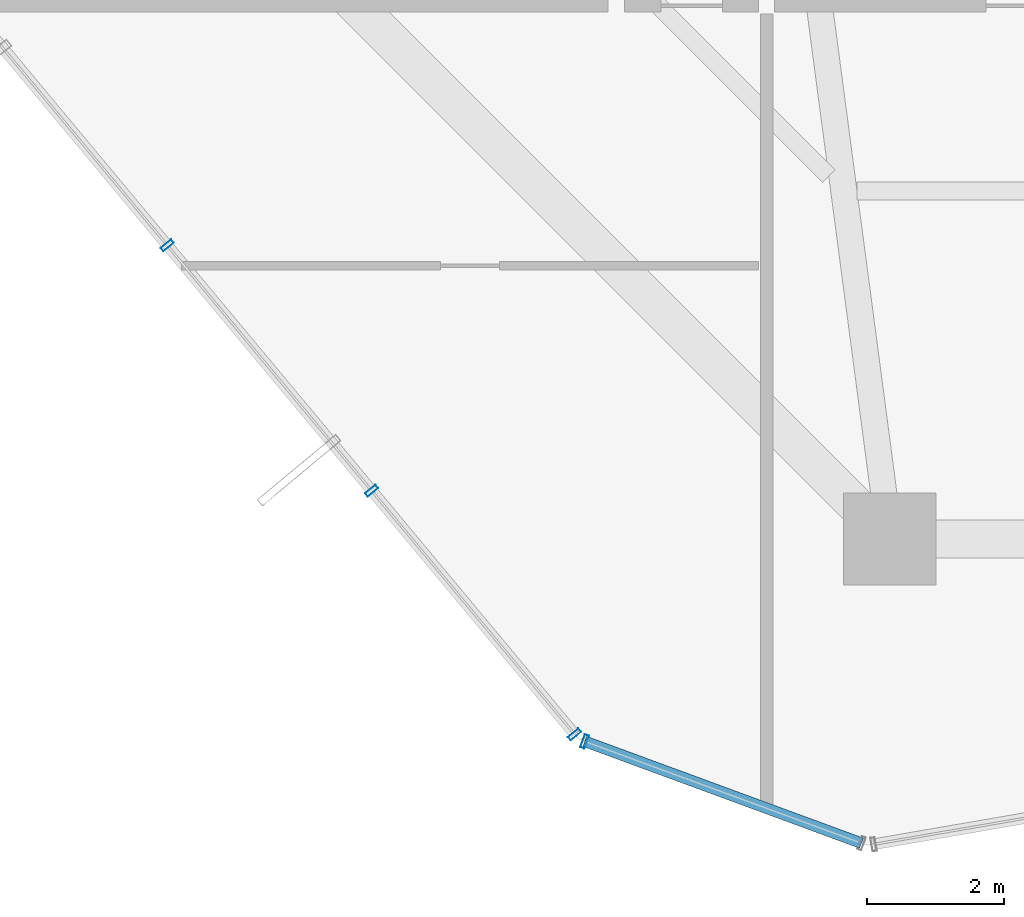
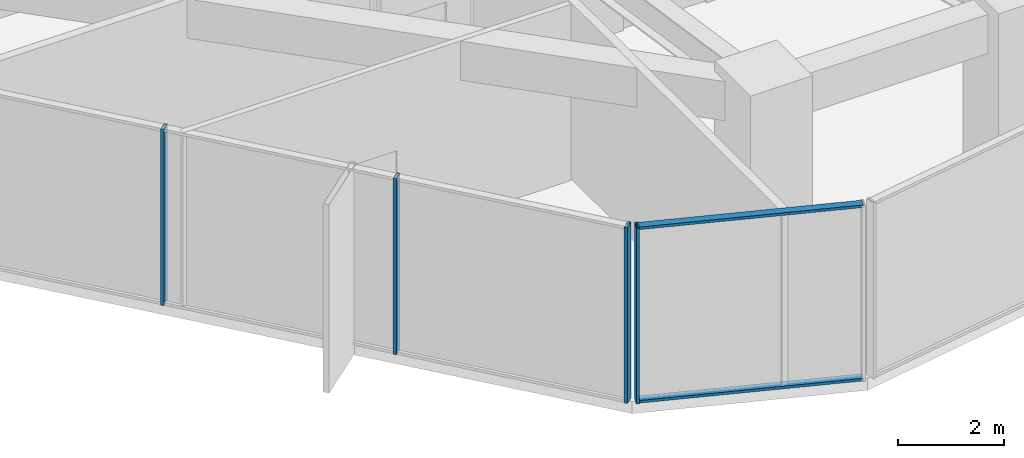
# One storey, part 2 of 35: 6 members, 2 elements without a shape of their own.
"""IFC4 building model written with IfcOpenShell, lengths in metres."""

from ifc_helpers import new_model, si_unit, direction, frame, origin, origin_2d, place, context, subcontext, project, spatial, hollow_rectangle, extrude, source, transform, mapped, material, layer, layer_set, material_profile, profile_set, type_object, element, aggregate, save


model = new_model("IFC4")

# Units and contexts
model_context = context("Model", 3, precision=1e-05, world=origin(), true_north=direction((0.0, 1.0)))
body_context = subcontext(model_context, "Body", "Model", "MODEL_VIEW")
ifc_project = project(units=[si_unit("LENGTHUNIT", "METRE"), si_unit("AREAUNIT", "SQUARE_METRE"), si_unit("VOLUMEUNIT", "CUBIC_METRE"), si_unit("PLANEANGLEUNIT", "RADIAN"), si_unit("MASSUNIT", "GRAM", prefix="KILO")], contexts=[model_context])

# Site, building, storey
site_placement = place(None, origin())
site = spatial("IfcSite", under=ifc_project, at=site_placement, CompositionType="ELEMENT")
building_placement = place(site_placement, origin())
building = spatial("IfcBuilding", under=site, at=building_placement, Name="Veraguas Prism Commons", CompositionType="ELEMENT")
storey_placement = place(building_placement, frame((0.0, 0.0, 56.550048828125)))
storey = spatial("IfcBuildingStorey", under=building, at=storey_placement, Name="L15", CompositionType="ELEMENT", Elevation=56.550048828125)

# Curtain wall, members
ifc_material = material(Name="Anodised aluminium EN AW-6063 T6", Category="aluminium")
ifc_layer = layer(ifc_material, 0.199951171875, Name="Sky Lobby and Pool Acoustic Curtain Wall", Category="aluminium")
ifc_layer_set = layer_set([ifc_layer], Name="Anodised aluminium EN AW-6063 T6")
curtain_wall_type = type_object("IfcCurtainWallType", Name="Sky Lobby and Pool Acoustic Curtain Wall", PredefinedType="NOTDEFINED", material=ifc_layer_set)
curtain_wall_1_placement = place(storey_placement, origin())
curtain_wall_1 = element("IfcCurtainWall", 1, at=curtain_wall_1_placement, inside=storey, type_object=curtain_wall_type, Name="Tower Facade Curtain Wall L15-F4", PredefinedType="NOTDEFINED")
ifc_material_profile_1 = material_profile(ifc_material, hollow_rectangle(XDim=0.06494140625, YDim=0.199951171875, WallThickness=0.00390625, at=origin_2d()), Name="AL65X200X4")
ifc_profile_set_1 = profile_set([ifc_material_profile_1], Name="Anodised aluminium EN AW-6063 T6")
member_type_1 = type_object("IfcMemberType", Name="Curtain Wall Mullion Heavy AL 65x200x4", PredefinedType="MULLION", material=ifc_profile_set_1)
shared_shape_1 = source(origin(), body_context, "Body", "SweptSolid", [
    extrude(hollow_rectangle(XDim=0.06494140625, YDim=0.199951171875, WallThickness=0.00390625, at=origin_2d()), origin(), (0.0, 0.0, 1.0), 4.050048828125),
])
member_1_placement = place(storey_placement, frame((8.031494140625, 10.695556640625, 0.0), z_axis=(0.0, 0.0, 1.0), x_axis=(0.640109699485, -0.768283523594, 0.0)))
member_1 = element("IfcMember", 2, at=member_1_placement, type_object=member_type_1, Name="CW-SKY Mullion 3", PredefinedType="MULLION", context=body_context, shape_type="MappedRepresentation", body=[
    mapped(shared_shape_1, transform((0.0, 0.0, 0.0), scale=1.0)),
])
member_2_placement = place(storey_placement, frame((11.021484375, 7.10693359375, 0.0), z_axis=(0.0, 0.0, 1.0), x_axis=(0.640109699485, -0.768283523594, 0.0)))
member_2 = element("IfcMember", 3, at=member_2_placement, type_object=member_type_1, Name="CW-SKY Mullion 4", PredefinedType="MULLION", context=body_context, shape_type="MappedRepresentation", body=[
    mapped(shared_shape_1, transform((0.0, 0.0, 0.0), scale=1.0)),
])
member_3_placement = place(storey_placement, frame((13.990478515625, 3.543212890625, 0.0), z_axis=(0.0, 0.0, 1.0), x_axis=(0.640109699485, -0.768283523594, 0.0)))
member_3 = element("IfcMember", 4, at=member_3_placement, type_object=member_type_1, Name="CW-SKY Mullion 5", PredefinedType="MULLION", context=body_context, shape_type="MappedRepresentation", body=[
    mapped(shared_shape_1, transform((0.0, 0.0, 0.0), scale=1.0)),
])
aggregate(curtain_wall_1, [member_1, member_2, member_3])

curtain_wall_2_placement = place(storey_placement, origin())
curtain_wall_2 = element("IfcCurtainWall", 5, at=curtain_wall_2_placement, inside=storey, type_object=curtain_wall_type, Name="Chamfer Curtain Wall L15-C5", PredefinedType="NOTDEFINED")
member_4_placement = place(storey_placement, frame((14.13671875, 3.440185546875, 0.0), z_axis=(0.0, 0.0, 1.0), x_axis=(0.938493625417, -0.345296561019, 0.0)))
member_4 = element("IfcMember", 6, at=member_4_placement, type_object=member_type_1, Name="CW-SKY Mullion 1", PredefinedType="MULLION", context=body_context, shape_type="MappedRepresentation", body=[
    mapped(shared_shape_1, transform((0.0, 0.0, 0.0), scale=1.0)),
])
ifc_material_profile_2 = material_profile(ifc_material, hollow_rectangle(XDim=0.06005859375, YDim=0.159912109375, WallThickness=0.0029296875, at=origin_2d()), Name="AL60X160X3")
ifc_profile_set_2 = profile_set([ifc_material_profile_2], Name="Anodised aluminium EN AW-6063 T6")
member_type_2 = type_object("IfcMemberType", Name="Curtain Wall Transom Heavy AL 60x160x3", PredefinedType="USERDEFINED", material=ifc_profile_set_2)
shared_shape_2 = source(origin(), body_context, "Body", "SweptSolid", [
    extrude(hollow_rectangle(XDim=0.06005859375, YDim=0.159912109375, WallThickness=0.0029296875, at=origin_2d()), origin(), (0.0, 0.0, 1.0), 4.31494140625),
])
member_5_placement = place(storey_placement, frame((14.13671875, 3.440185546875, 0.030029296875), z_axis=(0.938508198465, -0.345256949842, 0.0), x_axis=(0.0, 0.0, 1.0)))
member_5 = element("IfcMember", 7, at=member_5_placement, type_object=member_type_2, Name="CW-SKY Transom 1", ObjectType="TRANSOM", PredefinedType="USERDEFINED", context=body_context, shape_type="MappedRepresentation", body=[
    mapped(shared_shape_2, transform((0.0, 0.0, 0.0), scale=1.0)),
])
member_6_placement = place(storey_placement, frame((14.13671875, 3.440185546875, 4.02001953125), z_axis=(0.938508198465, -0.345256949842, 0.0), x_axis=(0.0, 0.0, 1.0)))
member_6 = element("IfcMember", 8, at=member_6_placement, type_object=member_type_2, Name="CW-SKY Transom 2", ObjectType="TRANSOM", PredefinedType="USERDEFINED", context=body_context, shape_type="MappedRepresentation", body=[
    mapped(shared_shape_2, transform((0.0, 0.0, 0.0), scale=1.0)),
])
aggregate(curtain_wall_2, [member_4, member_5, member_6])

save(model, "model.ifc")
